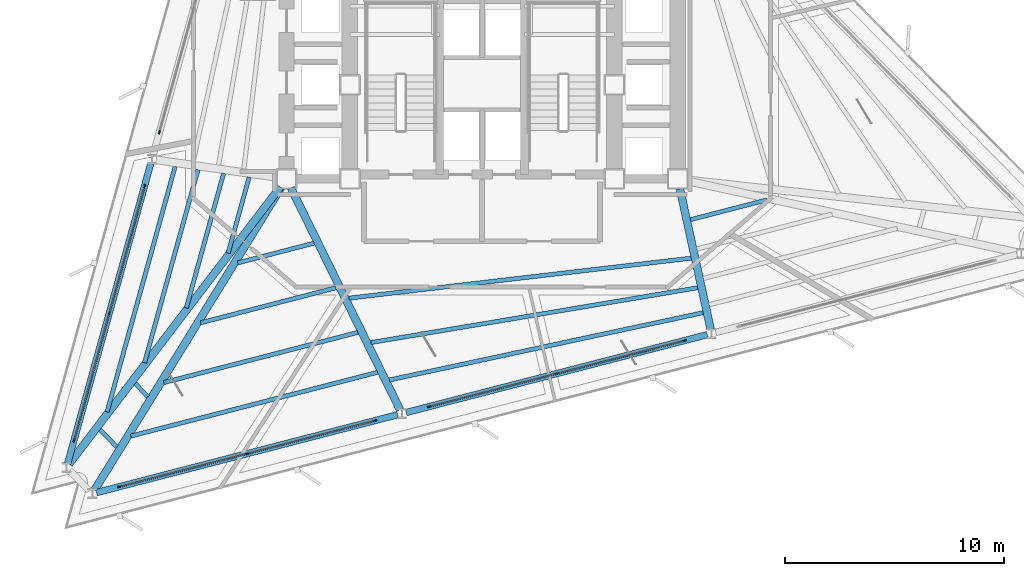
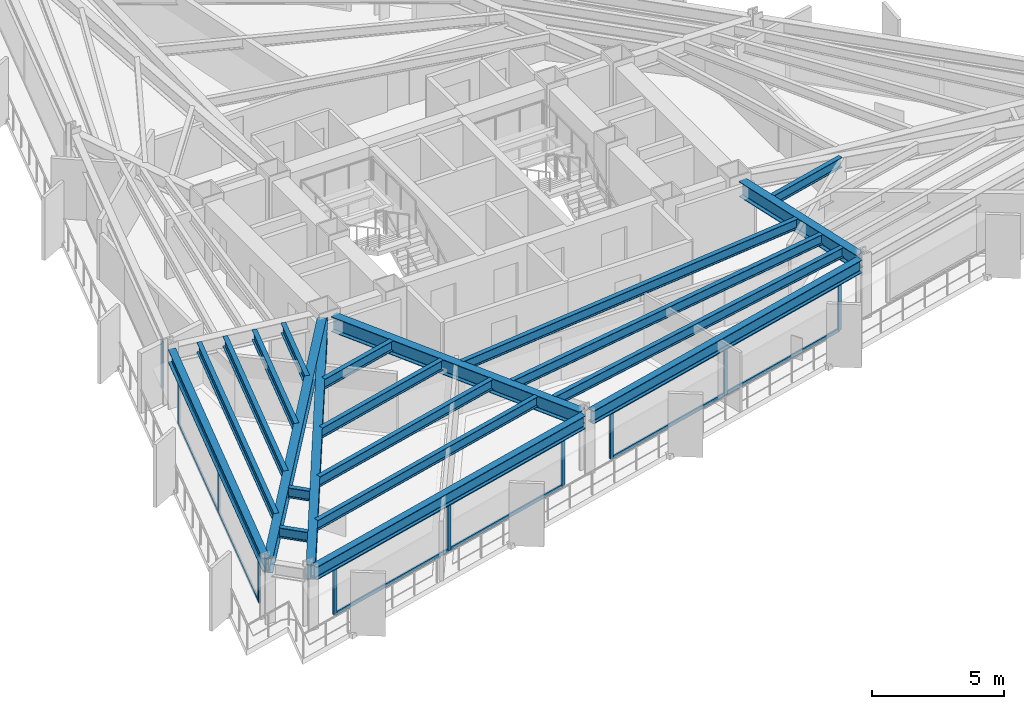
# One storey, part 2 of 11: 22 members, 21 beams, 4 elements without a shape of their own.
"""IFC4 building model written with IfcOpenShell, lengths in metres."""

from ifc_helpers import new_model, si_unit, direction, frame, origin, origin_2d, place, context, subcontext, project, spatial, rectangle, i_section, extrude, material, layer, layer_set, material_profile, profile_set, type_object, element, aggregate, save


model = new_model("IFC4")

# Units and contexts
model_context = context("Model", 3, precision=1e-05, world=origin(), true_north=direction((0.0, 1.0)))
body_context = subcontext(model_context, "Body", "Model", "MODEL_VIEW")
ifc_project = project(units=[si_unit("LENGTHUNIT", "METRE"), si_unit("AREAUNIT", "SQUARE_METRE"), si_unit("VOLUMEUNIT", "CUBIC_METRE"), si_unit("PLANEANGLEUNIT", "RADIAN"), si_unit("MASSUNIT", "GRAM", prefix="KILO")], contexts=[model_context])

# Site, building, storey
site_placement = place(None, origin())
site = spatial("IfcSite", under=ifc_project, at=site_placement, CompositionType="ELEMENT")
building_placement = place(site_placement, origin())
building = spatial("IfcBuilding", under=site, at=building_placement, Name="Rocaltana Carrier Exchange", CompositionType="ELEMENT")
storey_placement = place(building_placement, frame((0.0, 0.0, 79.52001953125)))
storey = spatial("IfcBuildingStorey", under=building, at=storey_placement, Name="L24", CompositionType="ELEMENT", Elevation=79.52001953125)

# Curtain wall, member
ifc_material_1 = material(Name="Aluminium 6063-T6", Category="aluminium")
ifc_layer = layer(ifc_material_1, 0.1650390625)
ifc_layer_set = layer_set([ifc_layer], Name="Aluminium 6063-T6")
curtain_wall_type = type_object("IfcCurtainWallType", Name="Lower-Mid Stepped Curtain Wall CW-02", PredefinedType="NOTDEFINED", material=ifc_layer_set)
curtain_wall_1_placement = place(storey_placement, origin())
curtain_wall_1 = element("IfcCurtainWall", 1, at=curtain_wall_1_placement, inside=storey, type_object=curtain_wall_type, Name="L24 CW-02 Run CW-L24-F2S2", PredefinedType="NOTDEFINED")
ifc_material_2 = material(Name="Aluminium 6063-T6", Category="aluminium")
ifc_material_profile_1 = material_profile(ifc_material_2, rectangle(XDim=0.06494140625, YDim=0.1650390625, at=origin_2d()), Name="AL-65X165")
ifc_profile_set_1 = profile_set([ifc_material_profile_1], Name="Aluminium 6063-T6")
member_type_1 = type_object("IfcMemberType", Name="CW-02 Mullion AL-65X165", PredefinedType="MULLION", material=ifc_profile_set_1)
member_1_placement = place(storey_placement, frame((-14.761962890625, -2.16796875, 0.0), z_axis=(0.0, 0.0, 1.0), x_axis=(0.963630586954, -0.267237893807, 0.0)))
member_1 = element("IfcMember", 2, at=member_1_placement, type_object=member_type_1, Name="CW-02 mullion 3", PredefinedType="MULLION", context=body_context, shape_type="SweptSolid", body=[
    extrude(rectangle(XDim=0.06494140625, YDim=0.1650390625, at=origin_2d()), origin(), (0.0, 0.0, 1.0), 2.16796875),
])
aggregate(curtain_wall_1, [member_1])

# Curtain wall, members
curtain_wall_2_placement = place(storey_placement, origin())
curtain_wall_2 = element("IfcCurtainWall", 3, at=curtain_wall_2_placement, inside=storey, type_object=curtain_wall_type, Name="L24 CW-02 Run CW-L24-F2S3", PredefinedType="NOTDEFINED")
member_2_placement = place(storey_placement, frame((-15.447265625, -4.6396484375, 0.0), z_axis=(0.0, 0.0, 1.0), x_axis=(0.963629053146, -0.267243424491, 0.0)))
member_2 = element("IfcMember", 4, at=member_2_placement, type_object=member_type_1, Name="CW-02 mullion 1", PredefinedType="MULLION", context=body_context, shape_type="SweptSolid", body=[
    extrude(rectangle(XDim=0.06494140625, YDim=0.1650390625, at=origin_2d()), origin(), (0.0, 0.0, 1.0), 2.16796875),
])
member_3_placement = place(storey_placement, frame((-17.059814453125, -10.45458984375, 0.0), z_axis=(0.0, 0.0, 1.0), x_axis=(0.963629053146, -0.267243424491, 0.0)))
member_3 = element("IfcMember", 5, at=member_3_placement, type_object=member_type_1, Name="CW-02 mullion 2", PredefinedType="MULLION", context=body_context, shape_type="SweptSolid", body=[
    extrude(rectangle(XDim=0.06494140625, YDim=0.1650390625, at=origin_2d()), origin(), (0.0, 0.0, 1.0), 2.16796875),
])
member_4_placement = place(storey_placement, frame((-18.672607421875, -16.269287109375, 0.0), z_axis=(0.0, 0.0, 1.0), x_axis=(0.963629053146, -0.267243424491, 0.0)))
member_4 = element("IfcMember", 6, at=member_4_placement, type_object=member_type_1, Name="CW-02 mullion 3", PredefinedType="MULLION", context=body_context, shape_type="SweptSolid", body=[
    extrude(rectangle(XDim=0.06494140625, YDim=0.1650390625, at=origin_2d()), origin(), (0.0, 0.0, 1.0), 2.16796875),
])

curtain_wall_3_placement = place(storey_placement, origin())
curtain_wall_3 = element("IfcCurtainWall", 7, at=curtain_wall_3_placement, inside=storey, type_object=curtain_wall_type, Name="L24 CW-02 Run CW-L24-F3S1", PredefinedType="NOTDEFINED")
member_5_placement = place(storey_placement, frame((-16.592529296875, -18.3857421875, 0.0), z_axis=(0.0, 0.0, 1.0), x_axis=(-0.250377760692, 0.968148220548, 0.0)))
member_5 = element("IfcMember", 8, at=member_5_placement, type_object=member_type_1, Name="CW-02 mullion 1", PredefinedType="MULLION", context=body_context, shape_type="SweptSolid", body=[
    extrude(rectangle(XDim=0.06494140625, YDim=0.1650390625, at=origin_2d()), origin(), (0.0, 0.0, 1.0), 2.16796875),
])
member_6_placement = place(storey_placement, frame((-10.75048828125, -16.874755859375, 0.0), z_axis=(0.0, 0.0, 1.0), x_axis=(-0.250377760692, 0.968148220548, 0.0)))
member_6 = element("IfcMember", 9, at=member_6_placement, type_object=member_type_1, Name="CW-02 mullion 2", PredefinedType="MULLION", context=body_context, shape_type="SweptSolid", body=[
    extrude(rectangle(XDim=0.06494140625, YDim=0.1650390625, at=origin_2d()), origin(), (0.0, 0.0, 1.0), 2.16796875),
])
member_7_placement = place(storey_placement, frame((-4.90869140625, -15.364013671875, 0.0), z_axis=(0.0, 0.0, 1.0), x_axis=(-0.250377760692, 0.968148220548, 0.0)))
member_7 = element("IfcMember", 10, at=member_7_placement, type_object=member_type_1, Name="CW-02 mullion 3", PredefinedType="MULLION", context=body_context, shape_type="SweptSolid", body=[
    extrude(rectangle(XDim=0.06494140625, YDim=0.1650390625, at=origin_2d()), origin(), (0.0, 0.0, 1.0), 2.16796875),
])

curtain_wall_4_placement = place(storey_placement, origin())
curtain_wall_4 = element("IfcCurtainWall", 11, at=curtain_wall_4_placement, inside=storey, type_object=curtain_wall_type, Name="L24 CW-02 Run CW-L24-F3S2", PredefinedType="NOTDEFINED")
member_8_placement = place(storey_placement, frame((-2.42529296875, -14.7216796875, 0.0), z_axis=(0.0, 0.0, 1.0), x_axis=(-0.250377760692, 0.968148220548, 0.0)))
member_8 = element("IfcMember", 12, at=member_8_placement, type_object=member_type_1, Name="CW-02 mullion 1", PredefinedType="MULLION", context=body_context, shape_type="SweptSolid", body=[
    extrude(rectangle(XDim=0.06494140625, YDim=0.1650390625, at=origin_2d()), origin(), (0.0, 0.0, 1.0), 2.16796875),
])
member_9_placement = place(storey_placement, frame((3.41650390625, -13.2109375, 0.0), z_axis=(0.0, 0.0, 1.0), x_axis=(-0.250377760692, 0.968148220548, 0.0)))
member_9 = element("IfcMember", 13, at=member_9_placement, type_object=member_type_1, Name="CW-02 mullion 2", PredefinedType="MULLION", context=body_context, shape_type="SweptSolid", body=[
    extrude(rectangle(XDim=0.06494140625, YDim=0.1650390625, at=origin_2d()), origin(), (0.0, 0.0, 1.0), 2.16796875),
])
member_10_placement = place(storey_placement, frame((9.258544921875, -11.7001953125, 0.0), z_axis=(0.0, 0.0, 1.0), x_axis=(-0.250377760692, 0.968148220548, 0.0)))
member_10 = element("IfcMember", 14, at=member_10_placement, type_object=member_type_1, Name="CW-02 mullion 3", PredefinedType="MULLION", context=body_context, shape_type="SweptSolid", body=[
    extrude(rectangle(XDim=0.06494140625, YDim=0.1650390625, at=origin_2d()), origin(), (0.0, 0.0, 1.0), 2.16796875),
])

# Member
ifc_material_3 = material(Name="Aluminium 6063-T6", Category="aluminium")
ifc_material_profile_2 = material_profile(ifc_material_3, rectangle(XDim=0.06494140625, YDim=0.1650390625, at=origin_2d()), Name="AL-65X165")
ifc_profile_set_2 = profile_set([ifc_material_profile_2], Name="Aluminium 6063-T6")
member_type_2 = type_object("IfcMemberType", Name="CW-02 Transom AL-65X165", PredefinedType="USERDEFINED", material=ifc_profile_set_2)
member_11_placement = place(storey_placement, frame((-15.4560546875, -4.671142578125, 0.032470703125), z_axis=(-0.26724725359, -0.963627991213, 0.0), x_axis=(0.963627991213, -0.26724725359, 0.0)))
member_11 = element("IfcMember", 15, at=member_11_placement, type_object=member_type_2, Name="CW-02 transom 1.1", ObjectType="TRANSOM", PredefinedType="USERDEFINED", context=body_context, shape_type="SweptSolid", body=[
    extrude(rectangle(XDim=0.06494140625, YDim=0.1650390625, at=origin_2d()), origin(), (0.0, 0.0, 1.0), 5.968994140625),
])

member_12_placement = place(storey_placement, frame((-15.4560546875, -4.671142578125, 2.135498046875), z_axis=(-0.26724725359, -0.963627991213, 0.0), x_axis=(0.963627991213, -0.26724725359, 0.0)))
member_12 = element("IfcMember", 16, at=member_12_placement, type_object=member_type_2, Name="CW-02 transom 1.2", ObjectType="TRANSOM", PredefinedType="USERDEFINED", context=body_context, shape_type="SweptSolid", body=[
    extrude(rectangle(XDim=0.06494140625, YDim=0.1650390625, at=origin_2d()), origin(), (0.0, 0.0, 1.0), 5.968994140625),
])

member_13_placement = place(storey_placement, frame((-17.068603515625, -10.48583984375, 0.032470703125), z_axis=(-0.267236720875, -0.963630912235, 0.0), x_axis=(0.963630912235, -0.267236720875, 0.0)))
member_13 = element("IfcMember", 17, at=member_13_placement, type_object=member_type_2, Name="CW-02 transom 2.1", ObjectType="TRANSOM", PredefinedType="USERDEFINED", context=body_context, shape_type="SweptSolid", body=[
    extrude(rectangle(XDim=0.06494140625, YDim=0.1650390625, at=origin_2d()), origin(), (0.0, 0.0, 1.0), 5.96923828125),
])

member_14_placement = place(storey_placement, frame((-17.068603515625, -10.48583984375, 2.135498046875), z_axis=(-0.267236720875, -0.963630912235, 0.0), x_axis=(0.963630912235, -0.267236720875, 0.0)))
member_14 = element("IfcMember", 18, at=member_14_placement, type_object=member_type_2, Name="CW-02 transom 2.2", ObjectType="TRANSOM", PredefinedType="USERDEFINED", context=body_context, shape_type="SweptSolid", body=[
    extrude(rectangle(XDim=0.06494140625, YDim=0.1650390625, at=origin_2d()), origin(), (0.0, 0.0, 1.0), 5.96923828125),
])

aggregate(curtain_wall_2, [member_2, member_3, member_4, member_11, member_12, member_13, member_14])

member_15_placement = place(storey_placement, frame((-16.56103515625, -18.37744140625, 0.032470703125), z_axis=(0.968154945337, 0.250351756175, 0.0), x_axis=(-0.250351756175, 0.968154945337, 0.0)))
member_15 = element("IfcMember", 19, at=member_15_placement, type_object=member_type_2, Name="CW-02 transom 1.1", ObjectType="TRANSOM", PredefinedType="USERDEFINED", context=body_context, shape_type="SweptSolid", body=[
    extrude(rectangle(XDim=0.06494140625, YDim=0.1650390625, at=origin_2d()), origin(), (0.0, 0.0, 1.0), 5.96923828125),
])

member_16_placement = place(storey_placement, frame((-16.56103515625, -18.37744140625, 2.135498046875), z_axis=(0.968154945337, 0.250351756175, 0.0), x_axis=(-0.250351756175, 0.968154945337, 0.0)))
member_16 = element("IfcMember", 20, at=member_16_placement, type_object=member_type_2, Name="CW-02 transom 1.2", ObjectType="TRANSOM", PredefinedType="USERDEFINED", context=body_context, shape_type="SweptSolid", body=[
    extrude(rectangle(XDim=0.06494140625, YDim=0.1650390625, at=origin_2d()), origin(), (0.0, 0.0, 1.0), 5.96923828125),
])

member_17_placement = place(storey_placement, frame((-10.71923828125, -16.86669921875, 0.032470703125), z_axis=(0.968145031253, 0.250390092575, 0.0), x_axis=(-0.250390092575, 0.968145031253, 0.0)))
member_17 = element("IfcMember", 21, at=member_17_placement, type_object=member_type_2, Name="CW-02 transom 2.1", ObjectType="TRANSOM", PredefinedType="USERDEFINED", context=body_context, shape_type="SweptSolid", body=[
    extrude(rectangle(XDim=0.06494140625, YDim=0.1650390625, at=origin_2d()), origin(), (0.0, 0.0, 1.0), 5.96923828125),
])

member_18_placement = place(storey_placement, frame((-10.71923828125, -16.86669921875, 2.135498046875), z_axis=(0.968145031253, 0.250390092575, 0.0), x_axis=(-0.250390092575, 0.968145031253, 0.0)))
member_18 = element("IfcMember", 22, at=member_18_placement, type_object=member_type_2, Name="CW-02 transom 2.2", ObjectType="TRANSOM", PredefinedType="USERDEFINED", context=body_context, shape_type="SweptSolid", body=[
    extrude(rectangle(XDim=0.06494140625, YDim=0.1650390625, at=origin_2d()), origin(), (0.0, 0.0, 1.0), 5.96923828125),
])

aggregate(curtain_wall_3, [member_5, member_6, member_7, member_15, member_16, member_17, member_18])

member_19_placement = place(storey_placement, frame((-2.393798828125, -14.713623046875, 0.032470703125), z_axis=(0.968145031253, 0.250390092575, 0.0), x_axis=(-0.250390092575, 0.968145031253, 0.0)))
member_19 = element("IfcMember", 23, at=member_19_placement, type_object=member_type_2, Name="CW-02 transom 1.1", ObjectType="TRANSOM", PredefinedType="USERDEFINED", context=body_context, shape_type="SweptSolid", body=[
    extrude(rectangle(XDim=0.06494140625, YDim=0.1650390625, at=origin_2d()), origin(), (0.0, 0.0, 1.0), 5.96923828125),
])

member_20_placement = place(storey_placement, frame((-2.393798828125, -14.713623046875, 2.135498046875), z_axis=(0.968145031253, 0.250390092575, 0.0), x_axis=(-0.250390092575, 0.968145031253, 0.0)))
member_20 = element("IfcMember", 24, at=member_20_placement, type_object=member_type_2, Name="CW-02 transom 1.2", ObjectType="TRANSOM", PredefinedType="USERDEFINED", context=body_context, shape_type="SweptSolid", body=[
    extrude(rectangle(XDim=0.06494140625, YDim=0.1650390625, at=origin_2d()), origin(), (0.0, 0.0, 1.0), 5.96923828125),
])

member_21_placement = place(storey_placement, frame((3.447998046875, -13.202880859375, 0.032470703125), z_axis=(0.968145031253, 0.250390092575, 0.0), x_axis=(-0.250390092575, 0.968145031253, 0.0)))
member_21 = element("IfcMember", 25, at=member_21_placement, type_object=member_type_2, Name="CW-02 transom 2.1", ObjectType="TRANSOM", PredefinedType="USERDEFINED", context=body_context, shape_type="SweptSolid", body=[
    extrude(rectangle(XDim=0.06494140625, YDim=0.1650390625, at=origin_2d()), origin(), (0.0, 0.0, 1.0), 5.96923828125),
])

member_22_placement = place(storey_placement, frame((3.447998046875, -13.202880859375, 2.135498046875), z_axis=(0.968145031253, 0.250390092575, 0.0), x_axis=(-0.250390092575, 0.968145031253, 0.0)))
member_22 = element("IfcMember", 26, at=member_22_placement, type_object=member_type_2, Name="CW-02 transom 2.2", ObjectType="TRANSOM", PredefinedType="USERDEFINED", context=body_context, shape_type="SweptSolid", body=[
    extrude(rectangle(XDim=0.06494140625, YDim=0.1650390625, at=origin_2d()), origin(), (0.0, 0.0, 1.0), 5.96923828125),
])

aggregate(curtain_wall_4, [member_8, member_9, member_10, member_19, member_20, member_21, member_22])

# Beams
ifc_material_4 = material(Name="Steel S355", Category="steel")
ifc_material_profile_3 = material_profile(ifc_material_4, i_section(OverallWidth=0.193115234375, OverallDepth=0.466064453125, WebThickness=0.011474609375, FlangeThickness=0.01904296875, FilletRadius=0.013916015625, at=origin_2d()), Name="W18X65")
ifc_profile_set_3 = profile_set([ifc_material_profile_3], Name="Steel S355")
beam_type_1 = type_object("IfcBeamType", Name="Floor Joist W18X65", PredefinedType="JOIST", material=ifc_profile_set_3)
beam_1_placement = place(storey_placement, frame((-10.65771484375, -4.223388671875, 2.554931640625), z_axis=(-0.267214572506, -0.963637054207, 0.0), x_axis=(0.963637054207, -0.267214572506, 0.0)))
element("IfcBeam", 27, at=beam_1_placement, inside=storey, type_object=beam_type_1, Name="FJ-L24-07-1", PredefinedType="JOIST", context=body_context, shape_type="SweptSolid", body=[
    extrude(i_section(OverallWidth=0.193115234375, OverallDepth=0.466064453125, WebThickness=0.011474609375, FlangeThickness=0.01904296875, FilletRadius=0.013916015625, at=origin_2d()), origin(), (0.0, 0.0, 1.0), 3.60791015625),
])
beam_2_placement = place(storey_placement, frame((-11.826904296875, -4.052978515625, 2.554931640625), z_axis=(-0.267247660275, -0.963627878425, 0.0), x_axis=(0.963627878425, -0.267247660275, 0.0)))
element("IfcBeam", 28, at=beam_2_placement, inside=storey, type_object=beam_type_1, Name="FJ-L24-07-2", PredefinedType="JOIST", context=body_context, shape_type="SweptSolid", body=[
    extrude(i_section(OverallWidth=0.193115234375, OverallDepth=0.466064453125, WebThickness=0.011474609375, FlangeThickness=0.01904296875, FilletRadius=0.013916015625, at=origin_2d()), origin(), (0.0, 0.0, 1.0), 6.388427734375),
])
beam_3_placement = place(storey_placement, frame((-12.996337890625, -3.8828125, 2.554931640625), z_axis=(-0.267235954776, -0.963631124692, 0.0), x_axis=(0.963631124692, -0.267235954776, 0.0)))
element("IfcBeam", 29, at=beam_3_placement, inside=storey, type_object=beam_type_1, Name="FJ-L24-07-3", PredefinedType="JOIST", context=body_context, shape_type="SweptSolid", body=[
    extrude(i_section(OverallWidth=0.193115234375, OverallDepth=0.466064453125, WebThickness=0.011474609375, FlangeThickness=0.01904296875, FilletRadius=0.013916015625, at=origin_2d()), origin(), (0.0, 0.0, 1.0), 9.168701171875),
])
beam_4_placement = place(storey_placement, frame((-14.04248046875, -3.73046875, 2.554931640625), z_axis=(-0.267254953873, -0.963625855626, 0.0), x_axis=(0.963625855626, -0.267254953873, 0.0)))
element("IfcBeam", 30, at=beam_4_placement, inside=storey, type_object=beam_type_1, Name="FJ-L24-07-4", PredefinedType="JOIST", context=body_context, shape_type="SweptSolid", body=[
    extrude(i_section(OverallWidth=0.193115234375, OverallDepth=0.466064453125, WebThickness=0.011474609375, FlangeThickness=0.01904296875, FilletRadius=0.013916015625, at=origin_2d()), origin(), (0.0, 0.0, 1.0), 11.656494140625),
])
beam_5_placement = place(storey_placement, frame((-15.87548828125, -13.666015625, 2.554931640625), z_axis=(0.700949450069, -0.713210956484, 0.0), x_axis=(0.713210956484, 0.700949450069, 0.0)))
element("IfcBeam", 31, at=beam_5_placement, inside=storey, type_object=beam_type_1, Name="FJ-L24-08-3", PredefinedType="JOIST", context=body_context, shape_type="SweptSolid", body=[
    extrude(i_section(OverallWidth=0.193115234375, OverallDepth=0.466064453125, WebThickness=0.011474609375, FlangeThickness=0.01904296875, FilletRadius=0.013916015625, at=origin_2d()), origin(), (0.0, 0.0, 1.0), 0.836181640625),
])
beam_6_placement = place(storey_placement, frame((-17.48583984375, -15.77880859375, 2.554931640625), z_axis=(0.70100898123, -0.713152443896, 0.0), x_axis=(0.713152443896, 0.70100898123, 0.0)))
element("IfcBeam", 32, at=beam_6_placement, inside=storey, type_object=beam_type_1, Name="FJ-L24-08-4", PredefinedType="JOIST", context=body_context, shape_type="SweptSolid", body=[
    extrude(i_section(OverallWidth=0.193115234375, OverallDepth=0.466064453125, WebThickness=0.011474609375, FlangeThickness=0.01904296875, FilletRadius=0.013916015625, at=origin_2d()), origin(), (0.0, 0.0, 1.0), 1.105712890625),
])
beam_7_placement = place(storey_placement, frame((-11.1826171875, -8.14697265625, 2.554931640625), z_axis=(0.968131920636, 0.250440779917, 0.0), x_axis=(-0.250440779917, 0.968131920636, 0.0)))
element("IfcBeam", 33, at=beam_7_placement, inside=storey, type_object=beam_type_1, Name="FJ-L24-09-1", PredefinedType="JOIST", context=body_context, shape_type="SweptSolid", body=[
    extrude(i_section(OverallWidth=0.193115234375, OverallDepth=0.466064453125, WebThickness=0.011474609375, FlangeThickness=0.01904296875, FilletRadius=0.013916015625, at=origin_2d()), origin(), (0.0, 0.0, 1.0), 3.60791015625),
])
beam_8_placement = place(storey_placement, frame((-12.87060546875, -10.88427734375, 2.554931640625), z_axis=(0.968143557315, 0.250395791558, 0.0), x_axis=(-0.250395791558, 0.968143557315, 0.0)))
element("IfcBeam", 34, at=beam_8_placement, inside=storey, type_object=beam_type_1, Name="FJ-L24-09-2", PredefinedType="JOIST", context=body_context, shape_type="SweptSolid", body=[
    extrude(i_section(OverallWidth=0.193115234375, OverallDepth=0.466064453125, WebThickness=0.011474609375, FlangeThickness=0.01904296875, FilletRadius=0.013916015625, at=origin_2d()), origin(), (0.0, 0.0, 1.0), 6.388427734375),
])
beam_9_placement = place(storey_placement, frame((-14.55859375, -13.62158203125, 2.554931640625), z_axis=(0.968140011266, 0.250409501786, 0.0), x_axis=(-0.250409501786, 0.968140011266, 0.0)))
element("IfcBeam", 35, at=beam_9_placement, inside=storey, type_object=beam_type_1, Name="FJ-L24-09-3", PredefinedType="JOIST", context=body_context, shape_type="SweptSolid", body=[
    extrude(i_section(OverallWidth=0.193115234375, OverallDepth=0.466064453125, WebThickness=0.011474609375, FlangeThickness=0.01904296875, FilletRadius=0.013916015625, at=origin_2d()), origin(), (0.0, 0.0, 1.0), 9.16845703125),
])
beam_10_placement = place(storey_placement, frame((-16.069091796875, -16.070556640625, 2.554931640625), z_axis=(0.968149362607, 0.250373344596, 0.0), x_axis=(-0.250373344596, 0.968149362607, 0.0)))
element("IfcBeam", 36, at=beam_10_placement, inside=storey, type_object=beam_type_1, Name="FJ-L24-09-4", PredefinedType="JOIST", context=body_context, shape_type="SweptSolid", body=[
    extrude(i_section(OverallWidth=0.193115234375, OverallDepth=0.466064453125, WebThickness=0.011474609375, FlangeThickness=0.01904296875, FilletRadius=0.013916015625, at=origin_2d()), origin(), (0.0, 0.0, 1.0), 11.656494140625),
])
beam_11_placement = place(storey_placement, frame((-6.085205078125, -9.759033203125, 2.554931640625), z_axis=(0.993245745527, 0.116029690132, 0.0), x_axis=(-0.116029690132, 0.993245745527, 0.0)))
element("IfcBeam", 37, at=beam_11_placement, inside=storey, type_object=beam_type_1, Name="FJ-L24-10-2", PredefinedType="JOIST", context=body_context, shape_type="SweptSolid", body=[
    extrude(i_section(OverallWidth=0.193115234375, OverallDepth=0.466064453125, WebThickness=0.011474609375, FlangeThickness=0.01904296875, FilletRadius=0.013916015625, at=origin_2d()), origin(), (0.0, 0.0, 1.0), 15.761962890625),
])
beam_12_placement = place(storey_placement, frame((-5.082763671875, -11.791748046875, 2.554931640625), z_axis=(0.986215738721, 0.165464548161, 0.0), x_axis=(-0.165464548161, 0.986215738721, 0.0)))
element("IfcBeam", 38, at=beam_12_placement, inside=storey, type_object=beam_type_1, Name="FJ-L24-10-3", PredefinedType="JOIST", context=body_context, shape_type="SweptSolid", body=[
    extrude(i_section(OverallWidth=0.193115234375, OverallDepth=0.466064453125, WebThickness=0.011474609375, FlangeThickness=0.01904296875, FilletRadius=0.013916015625, at=origin_2d()), origin(), (0.0, 0.0, 1.0), 15.15771484375),
])
beam_13_placement = place(storey_placement, frame((-4.239013671875, -13.5029296875, 2.554931640625), z_axis=(0.977758587701, 0.209733507519, 0.0), x_axis=(-0.209733507519, 0.977758587701, 0.0)))
element("IfcBeam", 39, at=beam_13_placement, inside=storey, type_object=beam_type_1, Name="FJ-L24-10-4", PredefinedType="JOIST", context=body_context, shape_type="SweptSolid", body=[
    extrude(i_section(OverallWidth=0.193115234375, OverallDepth=0.466064453125, WebThickness=0.011474609375, FlangeThickness=0.01904296875, FilletRadius=0.013916015625, at=origin_2d()), origin(), (0.0, 0.0, 1.0), 14.680908203125),
])
beam_14_placement = place(storey_placement, frame((9.53466796875, -6.16845703125, 2.554931640625), z_axis=(0.968131920636, 0.250440779917, 0.0), x_axis=(-0.250440779917, 0.968131920636, 0.0)))
element("IfcBeam", 40, at=beam_14_placement, inside=storey, type_object=beam_type_1, Name="FJ-L24-11-1", PredefinedType="JOIST", context=body_context, shape_type="SweptSolid", body=[
    extrude(i_section(OverallWidth=0.193115234375, OverallDepth=0.466064453125, WebThickness=0.011474609375, FlangeThickness=0.01904296875, FilletRadius=0.013916015625, at=origin_2d()), origin(), (0.0, 0.0, 1.0), 3.60791015625),
])
ifc_material_5 = material(Name="Steel S355", Category="steel")
ifc_material_profile_4 = material_profile(ifc_material_5, i_section(OverallWidth=0.35498046875, OverallDepth=0.695068359375, WebThickness=0.015380859375, FlangeThickness=0.02490234375, FilletRadius=0.01806640625, at=origin_2d()), Name="W27X146")
ifc_profile_set_4 = profile_set([ifc_material_profile_4], Name="Steel S355")
beam_type_2 = type_object("IfcBeamType", Name="Radial Girder W27X146", PredefinedType="BEAM", material=ifc_profile_set_4)
beam_15_placement = place(storey_placement, frame((-9.233154296875, -4.67138671875, 2.4404296875), z_axis=(-0.606198298247, -0.795313537671, 0.0), x_axis=(0.795313537671, -0.606198298247, 0.0)))
element("IfcBeam", 41, at=beam_15_placement, inside=storey, type_object=beam_type_2, Name="RG-L24-08", PredefinedType="BEAM", context=body_context, shape_type="SweptSolid", body=[
    extrude(i_section(OverallWidth=0.35498046875, OverallDepth=0.695068359375, WebThickness=0.015380859375, FlangeThickness=0.02490234375, FilletRadius=0.01806640625, at=origin_2d()), origin(), (0.0, 0.0, 1.0), 15.935546875),
])
beam_16_placement = place(storey_placement, frame((-9.195068359375, -4.697509765625, 2.4404296875), z_axis=(-0.524896499974, -0.851166061539, 0.0), x_axis=(0.851166061539, -0.524896499974, 0.0)))
element("IfcBeam", 42, at=beam_16_placement, inside=storey, type_object=beam_type_2, Name="RG-L24-09", PredefinedType="BEAM", context=body_context, shape_type="SweptSolid", body=[
    extrude(i_section(OverallWidth=0.35498046875, OverallDepth=0.695068359375, WebThickness=0.015380859375, FlangeThickness=0.02490234375, FilletRadius=0.01806640625, at=origin_2d()), origin(), (0.0, 0.0, 1.0), 16.2578125),
])
beam_17_placement = place(storey_placement, frame((-8.743896484375, -4.718994140625, 2.4404296875), z_axis=(0.441294565668, -0.897362304932, 0.0), x_axis=(0.897362304932, 0.441294565668, 0.0)))
element("IfcBeam", 43, at=beam_17_placement, inside=storey, type_object=beam_type_2, Name="RG-L24-10", PredefinedType="BEAM", context=body_context, shape_type="SweptSolid", body=[
    extrude(i_section(OverallWidth=0.35498046875, OverallDepth=0.695068359375, WebThickness=0.015380859375, FlangeThickness=0.02490234375, FilletRadius=0.01806640625, at=origin_2d()), origin(), (0.0, 0.0, 1.0), 11.3037109375),
])
beam_18_placement = place(storey_placement, frame((9.0498046875, -4.756103515625, 2.4404296875), z_axis=(0.213939245944, -0.976846968079, 0.0), x_axis=(0.976846968079, 0.213939245944, 0.0)))
element("IfcBeam", 44, at=beam_18_placement, inside=storey, type_object=beam_type_2, Name="RG-L24-11", PredefinedType="BEAM", context=body_context, shape_type="SweptSolid", body=[
    extrude(i_section(OverallWidth=0.35498046875, OverallDepth=0.695068359375, WebThickness=0.015380859375, FlangeThickness=0.02490234375, FilletRadius=0.01806640625, at=origin_2d()), origin(), (0.0, 0.0, 1.0), 6.578857421875),
])
ifc_material_6 = material(Name="Steel S355", Category="steel")
ifc_material_profile_5 = material_profile(ifc_material_6, i_section(OverallWidth=0.300048828125, OverallDepth=0.60009765625, WebThickness=0.015380859375, FlangeThickness=0.030029296875, FilletRadius=0.027099609375, at=origin_2d()), Name="HEB600")
ifc_profile_set_5 = profile_set([ifc_material_profile_5], Name="Steel S355")
beam_type_3 = type_object("IfcBeamType", Name="Spandrel Edge Beam HEB600", PredefinedType="SPANDREL", material=ifc_profile_set_5)
beam_19_placement = place(storey_placement, frame((-15.158203125, -3.59765625, 2.488037109375), z_axis=(-0.267244796471, -0.963628672653, 0.0), x_axis=(0.963628672653, -0.267244796471, 0.0)))
element("IfcBeam", 45, at=beam_19_placement, inside=storey, type_object=beam_type_3, Name="SP-L24-07", PredefinedType="SPANDREL", context=body_context, shape_type="SweptSolid", body=[
    extrude(i_section(OverallWidth=0.300048828125, OverallDepth=0.60009765625, WebThickness=0.015380859375, FlangeThickness=0.030029296875, FilletRadius=0.027099609375, at=origin_2d()), origin(), (0.0, 0.0, 1.0), 14.231201171875),
])
for number, where, z_axis, x_axis, name in (
    (46, (-17.6396484375, -18.656494140625, 2.488037109375), (0.968147987083, 0.250378663444, 0.0), (-0.250378663444, 0.968147987083, 0.0), "SP-L24-09"),
    (47, (-3.472412109375, -14.99267578125, 2.488037109375), (0.968143828509, 0.250394742995, 0.0), (-0.250394742995, 0.968143828509, 0.0), "SP-L24-10"),
):
    element("IfcBeam", number, at=place(storey_placement, frame(where, z_axis=z_axis, x_axis=x_axis)), inside=storey, type_object=beam_type_3, Name=name, PredefinedType="SPANDREL", context=body_context, shape_type="SweptSolid", body=[
        extrude(i_section(OverallWidth=0.300048828125, OverallDepth=0.60009765625, WebThickness=0.015380859375, FlangeThickness=0.030029296875, FilletRadius=0.027099609375, at=origin_2d()), origin(), (0.0, 0.0, 1.0), 14.2314453125),
    ])

save(model, "model.ifc")
